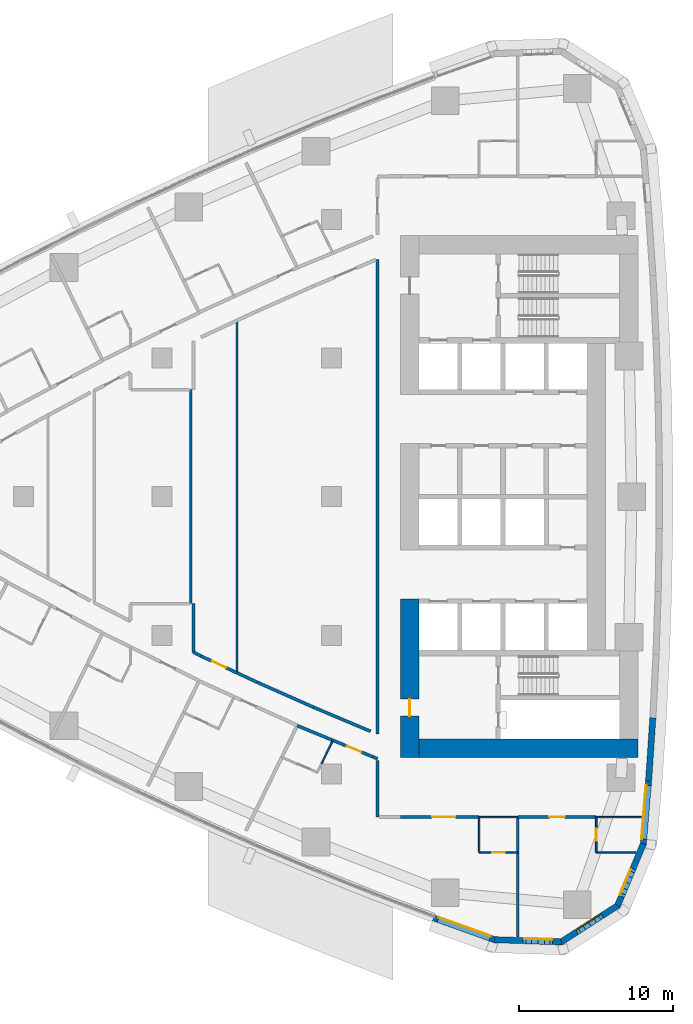
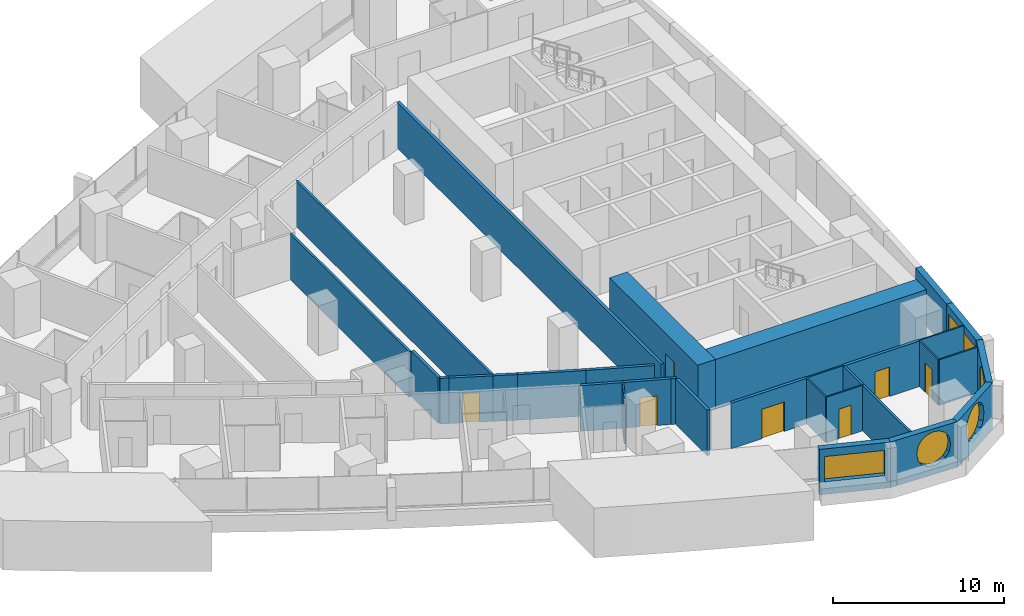
# One storey, part 10 of 19: 30 walls, 7 doors, 5 windows, 12 openings.
"""IFC4 building model written with IfcOpenShell, lengths in metres."""

from ifc_helpers import new_model, si_unit, direction, frame, frame_2d, origin, place, context, subcontext, project, spatial, polyline, rectangle, outline, extrude, material, layer, layer_set, type_object, element, fill, save


model = new_model("IFC4")

# Units and contexts
model_context = context("Model", 3, precision=1e-05, world=origin(), true_north=direction((0.0, 1.0)))
body_context = subcontext(model_context, "Body", "Model", "MODEL_VIEW")
ifc_project = project(units=[si_unit("LENGTHUNIT", "METRE"), si_unit("AREAUNIT", "SQUARE_METRE"), si_unit("VOLUMEUNIT", "CUBIC_METRE"), si_unit("PLANEANGLEUNIT", "RADIAN"), si_unit("MASSUNIT", "GRAM", prefix="KILO")], contexts=[model_context])

# Site, building, storey
site_placement = place(None, origin())
site = spatial("IfcSite", under=ifc_project, at=site_placement, CompositionType="ELEMENT")
building_placement = place(site_placement, origin())
building = spatial("IfcBuilding", under=site, at=building_placement, Name="Ostrand Prow Hotel Tower", CompositionType="ELEMENT")
storey_placement = place(building_placement, frame((0.0, 0.0, 68.0)))
storey = spatial("IfcBuildingStorey", under=building, at=storey_placement, Name="L15", CompositionType="ELEMENT", Elevation=68.0)

# Wall, opening, door
ifc_material_1 = material(Name="Concrete C80/95", Category="concrete")
ifc_layer_1 = layer(ifc_material_1, 1.199951171875)
ifc_layer_set_1 = layer_set([ifc_layer_1], Name="Concrete C80/95")
wall_type_1 = type_object("IfcWallType", Name="Core wall 1200 C80/95", PredefinedType="SHEAR", material=ifc_layer_set_1)
wall_1_placement = place(storey_placement, frame((50.10009765625, -16.949951171875, 0.0), z_axis=(0.0, 0.0, 1.0), x_axis=(0.0, 1.0, 0.0)))
wall_1 = element("IfcWall", 1, at=wall_1_placement, inside=storey, type_object=wall_type_1, Name="Core wall CW-W-S", PredefinedType="SHEAR", context=body_context, shape_type="SweptSolid", body=[
    extrude(rectangle(XDim=10.300048828125, YDim=1.199951171875, at=frame_2d((5.14990234375, 0.0))), origin(), (0.0, 0.0, 1.0), 3.550048828125),
])
opening_1_placement = place(wall_1_placement, frame((2.699951171875, 0.0, 0.0)))
opening_1 = element("IfcOpeningElement", 2, at=opening_1_placement, cuts=wall_1, Name="Opening FD1", PredefinedType="OPENING", context=body_context, shape_type="SweptSolid", body=[
    extrude(rectangle(XDim=1.10009765625, YDim=2.10009765625, at=frame_2d((0.550048828125, 1.050048828125))), frame((0.0, 0.60986328125, 0.0), z_axis=(0.0, -1.0, 0.0), x_axis=(1.0, 0.0, 0.0)), (0.0, 0.0, 1.0), 1.219970703125),
])
ifc_material_2 = material(Name="Steel fire door", Category="steel")
door_type_1 = type_object("IfcDoorType", Name="Fire door 1100 EI120", OperationType="SINGLE_SWING_RIGHT", PredefinedType="DOOR", material=ifc_material_2)
door_1_placement = place(opening_1_placement, origin())
door_1 = element("IfcDoor", 3, at=door_1_placement, inside=storey, type_object=door_type_1, Name="FIRE DOOR", OperationType="SINGLE_SWING_RIGHT", OverallHeight=2.10009765625, OverallWidth=1.10009765625, PredefinedType="DOOR", context=body_context, shape_type="SweptSolid", body=[
    extrude(rectangle(XDim=1.10009765625, YDim=2.10009765625, at=frame_2d((0.550048828125, 1.050048828125))), frame((0.0, 0.02490234375, 0.0), z_axis=(0.0, -1.0, 0.0), x_axis=(1.0, 0.0, 0.0)), (0.0, 0.0, 1.0), 0.050048828125),
])
fill(opening_1, door_1)

# Walls
wall_2_placement = place(storey_placement, frame((50.699951171875, -16.35009765625, 0.0), z_axis=(0.0, 0.0, 1.0), x_axis=(1.0, 0.0, 0.0)))
element("IfcWall", 4, at=wall_2_placement, inside=storey, type_object=wall_type_1, Name="Core wall CW-S", PredefinedType="SHEAR", context=body_context, shape_type="SweptSolid", body=[
    extrude(rectangle(XDim=14.219970703125, YDim=1.199951171875, at=frame_2d((7.10986328125, 0.0))), origin(), (0.0, 0.0, 1.0), 3.550048828125),
])
ifc_material_3 = material(Name="Plasterboard partition")
ifc_layer_2 = layer(ifc_material_3, 0.10009765625)
ifc_layer_set_2 = layer_set([ifc_layer_2], Name="Plasterboard partition")
wall_type_2 = type_object("IfcWallType", Name="Partition 100 bathroom wall", PredefinedType="PARTITIONING", material=ifc_layer_set_2)
wall_3_placement = place(storey_placement, frame((54.601806640625, -23.10009765625, 0.0), z_axis=(0.0, 0.0, 1.0), x_axis=(0.0, 1.0, 0.0)))
element("IfcWall", 5, at=wall_3_placement, inside=storey, type_object=wall_type_2, Name="BATHROOM WALL", PredefinedType="PARTITIONING", context=body_context, shape_type="SweptSolid", body=[
    extrude(rectangle(XDim=2.300048828125, YDim=0.10009765625, at=frame_2d((1.14990234375, 0.0))), origin(), (0.0, 0.0, 1.0), 3.25),
])

# Wall, opening, door
wall_4_placement = place(storey_placement, frame((57.101806640625, -23.10009765625, 0.0), z_axis=(0.0, 0.0, 1.0), x_axis=(-1.0, 0.0, 0.0)))
wall_4 = element("IfcWall", 6, at=wall_4_placement, inside=storey, type_object=wall_type_2, Name="BATHROOM WALL", PredefinedType="PARTITIONING", context=body_context, shape_type="SweptSolid", body=[
    extrude(rectangle(XDim=2.5, YDim=0.10009765625, at=frame_2d((1.25, 0.0))), origin(), (0.0, 0.0, 1.0), 3.25),
])
opening_2_placement = place(wall_4_placement, frame((0.85009765625, 0.0, 0.0)))
opening_2 = element("IfcOpeningElement", 7, at=opening_2_placement, cuts=wall_4, Name="Opening D2", PredefinedType="OPENING", context=body_context, shape_type="SweptSolid", body=[
    extrude(rectangle(XDim=0.800048828125, YDim=2.10009765625, at=frame_2d((0.39990234375, 1.050048828125))), frame((0.0, 0.06005859375, 0.0), z_axis=(0.0, -1.0, 0.0), x_axis=(1.0, 0.0, 0.0)), (0.0, 0.0, 1.0), 0.1201171875),
])
ifc_material_4 = material(Name="Timber door leaf", Category="wood")
door_type_2 = type_object("IfcDoorType", Name="Bathroom door 800", OperationType="SINGLE_SWING_LEFT", PredefinedType="DOOR", material=ifc_material_4)
door_2_placement = place(opening_2_placement, origin())
door_2 = element("IfcDoor", 8, at=door_2_placement, inside=storey, type_object=door_type_2, Name="DOOR", OperationType="SINGLE_SWING_LEFT", OverallHeight=2.10009765625, OverallWidth=0.800048828125, PredefinedType="DOOR", context=body_context, shape_type="SweptSolid", body=[
    extrude(rectangle(XDim=0.800048828125, YDim=2.10009765625, at=frame_2d((0.39990234375, 1.050048828125))), frame((0.0, 0.02490234375, 0.0), z_axis=(0.0, -1.0, 0.0), x_axis=(1.0, 0.0, 0.0)), (0.0, 0.0, 1.0), 0.050048828125),
])
fill(opening_2, door_2)

# Wall
wall_5_placement = place(storey_placement, frame((64.781494140625, -23.10009765625, 0.0), z_axis=(0.0, 0.0, 1.0), x_axis=(-1.0, 0.0, 0.0)))
element("IfcWall", 9, at=wall_5_placement, inside=storey, type_object=wall_type_2, Name="BATHROOM WALL", PredefinedType="PARTITIONING", context=body_context, shape_type="SweptSolid", body=[
    extrude(rectangle(XDim=2.578125, YDim=0.10009765625, at=frame_2d((1.2890625, 0.0))), origin(), (0.0, 0.0, 1.0), 3.25),
])

# Wall, opening, door
wall_6_placement = place(storey_placement, frame((62.203369140625, -23.10009765625, 0.0), z_axis=(0.0, 0.0, 1.0), x_axis=(0.0, 1.0, 0.0)))
wall_6 = element("IfcWall", 10, at=wall_6_placement, inside=storey, type_object=wall_type_2, Name="BATHROOM WALL", PredefinedType="PARTITIONING", context=body_context, shape_type="SweptSolid", body=[
    extrude(rectangle(XDim=2.300048828125, YDim=0.10009765625, at=frame_2d((1.14990234375, 0.0))), origin(), (0.0, 0.0, 1.0), 3.25),
])
opening_3_placement = place(wall_6_placement, frame((0.75, 0.0, 0.0)))
opening_3 = element("IfcOpeningElement", 11, at=opening_3_placement, cuts=wall_6, Name="Opening D2", PredefinedType="OPENING", context=body_context, shape_type="SweptSolid", body=[
    extrude(rectangle(XDim=0.800048828125, YDim=2.10009765625, at=frame_2d((0.39990234375, 1.050048828125))), frame((0.0, 0.06005859375, 0.0), z_axis=(0.0, -1.0, 0.0), x_axis=(1.0, 0.0, 0.0)), (0.0, 0.0, 1.0), 0.1201171875),
])
door_3_placement = place(opening_3_placement, origin())
door_3 = element("IfcDoor", 12, at=door_3_placement, inside=storey, type_object=door_type_2, Name="DOOR", OperationType="SINGLE_SWING_LEFT", OverallHeight=2.10009765625, OverallWidth=0.800048828125, PredefinedType="DOOR", context=body_context, shape_type="SweptSolid", body=[
    extrude(rectangle(XDim=0.800048828125, YDim=2.10009765625, at=frame_2d((0.39990234375, 1.050048828125))), frame((0.0, 0.02490234375, 0.0), z_axis=(0.0, -1.0, 0.0), x_axis=(1.0, 0.0, 0.0)), (0.0, 0.0, 1.0), 0.050048828125),
])
fill(opening_3, door_3)

# Walls
wall_7_placement = place(storey_placement, frame((45.085205078125, -15.851806640625, 0.0), z_axis=(0.0, 0.0, 1.0), x_axis=(-0.438227394636, -0.89886414468, 0.0)))
element("IfcWall", 13, at=wall_7_placement, inside=storey, type_object=wall_type_2, Name="BATHROOM WALL", PredefinedType="PARTITIONING", context=body_context, shape_type="SweptSolid", body=[
    extrude(rectangle(XDim=1.6669921875, YDim=0.10009765625, at=frame_2d((0.83349609375, 0.0))), origin(), (0.0, 0.0, 1.0), 3.25),
])
wall_8_placement = place(storey_placement, frame((54.601806640625, -20.804931640625, 0.0), z_axis=(0.0, 0.0, 1.0), x_axis=(1.0, 0.0, 0.0)))
element("IfcWall", 14, at=wall_8_placement, inside=storey, type_object=wall_type_2, Name="BATHROOM WALL", PredefinedType="PARTITIONING", context=body_context, shape_type="SweptSolid", body=[
    extrude(rectangle(XDim=2.5, YDim=0.10009765625, at=frame_2d((1.25, 0.0))), origin(), (0.0, 0.0, 1.0), 3.25),
])
wall_9_placement = place(storey_placement, frame((62.203369140625, -20.804931640625, 0.0), z_axis=(0.0, 0.0, 1.0), x_axis=(1.0, 0.0, 0.0)))
element("IfcWall", 15, at=wall_9_placement, inside=storey, type_object=wall_type_2, Name="BATHROOM WALL", PredefinedType="PARTITIONING", context=body_context, shape_type="SweptSolid", body=[
    extrude(rectangle(XDim=2.97119140625, YDim=0.10009765625, at=frame_2d((1.485595703125, 0.0))), origin(), (0.0, 0.0, 1.0), 3.25),
])
ifc_material_5 = material(Name="Plasterboard partition")
ifc_layer_3 = layer(ifc_material_5, 0.14990234375)
ifc_layer_set_3 = layer_set([ifc_layer_3], Name="Plasterboard partition")
wall_type_3 = type_object("IfcWallType", Name="Partition 150 room partition", PredefinedType="PARTITIONING", material=ifc_layer_set_3)
wall_10_placement = place(storey_placement, frame((57.101806640625, -28.5869140625, 0.0), z_axis=(0.0, 0.0, 1.0), x_axis=(0.0, 1.0, 0.0)))
element("IfcWall", 16, at=wall_10_placement, inside=storey, type_object=wall_type_3, Name="ROOM PARTITION", PredefinedType="PARTITIONING", context=body_context, shape_type="SweptSolid", body=[
    extrude(rectangle(XDim=7.786865234375, YDim=0.14990234375, at=frame_2d((3.8935546875, 0.0))), origin(), (0.0, 0.0, 1.0), 3.25),
])
wall_11_placement = place(storey_placement, frame((35.876220703125, -6.949951171875, 0.0), z_axis=(0.0, 0.0, 1.0), x_axis=(0.0, 1.0, 0.0)))
element("IfcWall", 17, at=wall_11_placement, inside=storey, type_object=wall_type_3, Name="ROOM PARTITION", PredefinedType="PARTITIONING", context=body_context, shape_type="SweptSolid", body=[
    extrude(rectangle(XDim=13.89990234375, YDim=0.14990234375, at=frame_2d((6.949951171875, 0.0))), origin(), (0.0, 0.0, 1.0), 3.25),
])
wall_12_placement = place(storey_placement, frame((38.876220703125, -11.440185546875, 0.0), z_axis=(0.0, 0.0, 1.0), x_axis=(0.0, 1.0, 0.0)))
element("IfcWall", 18, at=wall_12_placement, inside=storey, type_object=wall_type_3, Name="ROOM PARTITION", PredefinedType="PARTITIONING", context=body_context, shape_type="SweptSolid", body=[
    extrude(rectangle(XDim=22.88037109375, YDim=0.14990234375, at=frame_2d((11.440185546875, 0.0))), origin(), (0.0, 0.0, 1.0), 3.25),
])

# Wall, opening, door
ifc_material_6 = material(Name="Plasterboard partition")
ifc_layer_4 = layer(ifc_material_6, 0.199951171875)
ifc_layer_set_4 = layer_set([ifc_layer_4], Name="Plasterboard partition")
wall_type_4 = type_object("IfcWallType", Name="Partition 200 corridor wall", PredefinedType="PARTITIONING", material=ifc_layer_set_4)
wall_13_placement = place(storey_placement, frame((38.876220703125, -11.440185546875, 0.0), z_axis=(0.0, 0.0, 1.0), x_axis=(-0.906347616376, 0.422532836937, 0.0)))
wall_13 = element("IfcWall", 19, at=wall_13_placement, inside=storey, type_object=wall_type_4, Name="CORRIDOR WALL", PredefinedType="PARTITIONING", context=body_context, shape_type="SweptSolid", body=[
    extrude(rectangle(XDim=2.57763671875, YDim=0.199951171875, at=frame_2d((1.288818359375, 0.0))), origin(), (0.0, 0.0, 1.0), 3.25),
])
opening_4_placement = place(wall_13_placement, frame((0.788818359375, 0.0, 0.0)))
opening_4 = element("IfcOpeningElement", 20, at=opening_4_placement, cuts=wall_13, Name="Opening D1R", PredefinedType="OPENING", context=body_context, shape_type="SweptSolid", body=[
    extrude(rectangle(XDim=1.0, YDim=2.10009765625, at=frame_2d((0.5, 1.050048828125))), frame((0.0, 0.10986328125, 0.0), z_axis=(0.0, -1.0, 0.0), x_axis=(1.0, 0.0, 0.0)), (0.0, 0.0, 1.0), 0.219970703125),
])
ifc_material_7 = material(Name="Timber door leaf", Category="wood")
door_type_3 = type_object("IfcDoorType", Name="Guest room door 1000 right", OperationType="SINGLE_SWING_RIGHT", PredefinedType="DOOR", material=ifc_material_7)
door_4_placement = place(opening_4_placement, origin())
door_4 = element("IfcDoor", 21, at=door_4_placement, inside=storey, type_object=door_type_3, Name="DOOR", OperationType="SINGLE_SWING_RIGHT", OverallHeight=2.10009765625, OverallWidth=1.0, PredefinedType="DOOR", context=body_context, shape_type="SweptSolid", body=[
    extrude(rectangle(XDim=1.0, YDim=2.10009765625, at=frame_2d((0.5, 1.050048828125))), frame((0.0, 0.02490234375, 0.0), z_axis=(0.0, -1.0, 0.0), x_axis=(1.0, 0.0, 0.0)), (0.0, 0.0, 1.0), 0.050048828125),
])
fill(opening_4, door_4)

# Walls
wall_14_placement = place(storey_placement, frame((47.549560546875, -15.239013671875, 0.0), z_axis=(0.0, 0.0, 1.0), x_axis=(-0.921269894054, 0.388923877269, 0.0)))
element("IfcWall", 22, at=wall_14_placement, inside=storey, type_object=wall_type_4, Name="CORRIDOR WALL", PredefinedType="PARTITIONING", context=body_context, shape_type="SweptSolid", body=[
    extrude(rectangle(XDim=4.015625, YDim=0.199951171875, at=frame_2d((2.0078125, 0.0))), origin(), (0.0, 0.0, 1.0), 3.25),
])
wall_15_placement = place(storey_placement, frame((43.85009765625, -13.67724609375, 0.0), z_axis=(0.0, 0.0, 1.0), x_axis=(-0.913986953061, 0.405743576209, 0.0)))
element("IfcWall", 23, at=wall_15_placement, inside=storey, type_object=wall_type_4, Name="CORRIDOR WALL", PredefinedType="PARTITIONING", context=body_context, shape_type="SweptSolid", body=[
    extrude(rectangle(XDim=4.015869140625, YDim=0.199951171875, at=frame_2d((2.0078125, 0.0))), origin(), (0.0, 0.0, 1.0), 3.25),
])
wall_16_placement = place(storey_placement, frame((40.1796875, -12.0478515625, 0.0), z_axis=(0.0, 0.0, 1.0), x_axis=(-0.906347874546, 0.422532283152, 0.0)))
element("IfcWall", 24, at=wall_16_placement, inside=storey, type_object=wall_type_4, Name="CORRIDOR WALL", PredefinedType="PARTITIONING", context=body_context, shape_type="SweptSolid", body=[
    extrude(rectangle(XDim=1.438232421875, YDim=0.199951171875, at=frame_2d((0.71923828125, 0.0))), origin(), (0.0, 0.0, 1.0), 3.25),
])

# Wall, opening, door
wall_17_placement = place(storey_placement, frame((49.5, -20.804931640625, 0.0), z_axis=(0.0, 0.0, 1.0), x_axis=(1.0, 0.0, 0.0)))
wall_17 = element("IfcWall", 25, at=wall_17_placement, inside=storey, type_object=wall_type_4, Name="CORRIDOR WALL", PredefinedType="PARTITIONING", context=body_context, shape_type="SweptSolid", body=[
    extrude(rectangle(XDim=5.0966796875, YDim=0.199951171875, at=frame_2d((2.54833984375, 0.0))), origin(), (0.0, 0.0, 1.0), 3.25),
])
opening_5_placement = place(wall_17_placement, frame((2.04833984375, 0.0, 0.0)))
opening_5 = element("IfcOpeningElement", 26, at=opening_5_placement, cuts=wall_17, Name="Opening D15", PredefinedType="OPENING", context=body_context, shape_type="SweptSolid", body=[
    extrude(rectangle(XDim=1.5, YDim=2.10009765625, at=frame_2d((0.75, 1.050048828125))), frame((0.0, 0.10986328125, 0.0), z_axis=(0.0, -1.0, 0.0), x_axis=(1.0, 0.0, 0.0)), (0.0, 0.0, 1.0), 0.219970703125),
])
ifc_material_8 = material(Name="Timber door leaf", Category="wood")
door_type_4 = type_object("IfcDoorType", Name="Double door 1500", OperationType="DOUBLE_DOOR_SINGLE_SWING", PredefinedType="DOOR", material=ifc_material_8)
door_5_placement = place(opening_5_placement, origin())
door_5 = element("IfcDoor", 27, at=door_5_placement, inside=storey, type_object=door_type_4, Name="DOOR", OperationType="DOUBLE_DOOR_SINGLE_SWING", OverallHeight=2.10009765625, OverallWidth=1.5, PredefinedType="DOOR", context=body_context, shape_type="SweptSolid", body=[
    extrude(rectangle(XDim=1.5, YDim=2.10009765625, at=frame_2d((0.75, 1.050048828125))), frame((0.0, 0.02490234375, 0.0), z_axis=(0.0, -1.0, 0.0), x_axis=(1.0, 0.0, 0.0)), (0.0, 0.0, 1.0), 0.050048828125),
])
fill(opening_5, door_5)

wall_18_placement = place(storey_placement, frame((57.106689453125, -20.804931640625, 0.0), z_axis=(0.0, 0.0, 1.0), x_axis=(1.0, 0.0, 0.0)))
wall_18 = element("IfcWall", 28, at=wall_18_placement, inside=storey, type_object=wall_type_4, Name="CORRIDOR WALL", PredefinedType="PARTITIONING", context=body_context, shape_type="SweptSolid", body=[
    extrude(rectangle(XDim=5.091552734375, YDim=0.199951171875, at=frame_2d((2.5458984375, 0.0))), origin(), (0.0, 0.0, 1.0), 3.25),
])
opening_6_placement = place(wall_18_placement, frame((2.0458984375, 0.0, 0.0)))
opening_6 = element("IfcOpeningElement", 29, at=opening_6_placement, cuts=wall_18, Name="Opening D1", PredefinedType="OPENING", context=body_context, shape_type="SweptSolid", body=[
    extrude(rectangle(XDim=1.0, YDim=2.10009765625, at=frame_2d((0.5, 1.050048828125))), frame((0.0, 0.10986328125, 0.0), z_axis=(0.0, -1.0, 0.0), x_axis=(1.0, 0.0, 0.0)), (0.0, 0.0, 1.0), 0.219970703125),
])
ifc_material_9 = material(Name="Timber door leaf", Category="wood")
door_type_5 = type_object("IfcDoorType", Name="Guest room door 1000", OperationType="SINGLE_SWING_LEFT", PredefinedType="DOOR", material=ifc_material_9)
door_6_placement = place(opening_6_placement, origin())
door_6 = element("IfcDoor", 30, at=door_6_placement, inside=storey, type_object=door_type_5, Name="DOOR", OperationType="SINGLE_SWING_LEFT", OverallHeight=2.10009765625, OverallWidth=1.0, PredefinedType="DOOR", context=body_context, shape_type="SweptSolid", body=[
    extrude(rectangle(XDim=1.0, YDim=2.10009765625, at=frame_2d((0.5, 1.050048828125))), frame((0.0, 0.02490234375, 0.0), z_axis=(0.0, -1.0, 0.0), x_axis=(1.0, 0.0, 0.0)), (0.0, 0.0, 1.0), 0.050048828125),
])
fill(opening_6, door_6)

wall_19_placement = place(storey_placement, frame((42.783935546875, -14.8671875, 0.0), z_axis=(0.0, 0.0, 1.0), x_axis=(0.92451459323, -0.381146647507, 0.0)))
wall_19 = element("IfcWall", 31, at=wall_19_placement, inside=storey, type_object=wall_type_4, Name="CORRIDOR WALL", PredefinedType="PARTITIONING", context=body_context, shape_type="SweptSolid", body=[
    extrude(rectangle(XDim=5.321533203125, YDim=0.199951171875, at=frame_2d((2.66064453125, 0.0))), origin(), (0.0, 0.0, 1.0), 3.25),
])
opening_7_placement = place(wall_19_placement, frame((3.5, 0.0, 0.0)))
opening_7 = element("IfcOpeningElement", 32, at=opening_7_placement, cuts=wall_19, Name="Opening D1R", PredefinedType="OPENING", context=body_context, shape_type="SweptSolid", body=[
    extrude(rectangle(XDim=1.0, YDim=2.10009765625, at=frame_2d((0.5, 1.050048828125))), frame((0.0, 0.10986328125, 0.0), z_axis=(0.0, -1.0, 0.0), x_axis=(1.0, 0.0, 0.0)), (0.0, 0.0, 1.0), 0.219970703125),
])
door_7_placement = place(opening_7_placement, origin())
door_7 = element("IfcDoor", 33, at=door_7_placement, inside=storey, type_object=door_type_3, Name="DOOR", OperationType="SINGLE_SWING_RIGHT", OverallHeight=2.10009765625, OverallWidth=1.0, PredefinedType="DOOR", context=body_context, shape_type="SweptSolid", body=[
    extrude(rectangle(XDim=1.0, YDim=2.10009765625, at=frame_2d((0.5, 1.050048828125))), frame((0.0, 0.02490234375, 0.0), z_axis=(0.0, -1.0, 0.0), x_axis=(1.0, 0.0, 0.0)), (0.0, 0.0, 1.0), 0.050048828125),
])
fill(opening_7, door_7)

# Walls
wall_20_placement = place(storey_placement, frame((36.054931640625, -10.1083984375, 0.0), z_axis=(0.0, 0.0, 1.0), x_axis=(0.0, 1.0, 0.0)))
element("IfcWall", 34, at=wall_20_placement, inside=storey, type_object=wall_type_4, Name="CORRIDOR WALL", PredefinedType="PARTITIONING", context=body_context, shape_type="SweptSolid", body=[
    extrude(rectangle(XDim=3.158447265625, YDim=0.199951171875, at=frame_2d((1.5791015625, 0.0))), origin(), (0.0, 0.0, 1.0), 3.25),
])
wall_21_placement = place(storey_placement, frame((48.0, 15.4140625, 0.0), z_axis=(0.0, 0.0, 1.0), x_axis=(0.0, -1.0, 0.0)))
element("IfcWall", 35, at=wall_21_placement, inside=storey, type_object=wall_type_4, Name="CORRIDOR WALL", PredefinedType="PARTITIONING", context=body_context, shape_type="SweptSolid", body=[
    extrude(rectangle(XDim=30.828125, YDim=0.199951171875, at=frame_2d((15.4140625, 0.0))), origin(), (0.0, 0.0, 1.0), 3.25),
])
wall_22_placement = place(storey_placement, frame((47.703857421875, -16.8955078125, 0.0), z_axis=(0.0, 0.0, 1.0), x_axis=(0.920166313672, -0.391527719559, 0.0)))
element("IfcWall", 36, at=wall_22_placement, inside=storey, type_object=wall_type_4, Name="CORRIDOR WALL", PredefinedType="PARTITIONING", context=body_context, shape_type="SweptSolid", body=[
    extrude(rectangle(XDim=0.320556640625, YDim=0.199951171875, at=frame_2d((0.16015625, 0.0))), origin(), (0.0, 0.0, 1.0), 3.25),
])
wall_23_placement = place(storey_placement, frame((47.99853515625, -17.14111328125, 0.0), z_axis=(0.0, 0.0, 1.0), x_axis=(-0.000866955326, -0.999999624194, 0.0)))
element("IfcWall", 37, at=wall_23_placement, inside=storey, type_object=wall_type_4, Name="CORRIDOR WALL", PredefinedType="PARTITIONING", context=body_context, shape_type="SweptSolid", body=[
    extrude(rectangle(XDim=3.660888671875, YDim=0.199951171875, at=frame_2d((1.83056640625, 0.0))), origin(), (0.0, 0.0, 1.0), 3.25),
])
wall_24_placement = place(storey_placement, frame((36.5400390625, -10.35107421875, 0.0), z_axis=(0.0, 0.0, 1.0), x_axis=(-0.894337154042, 0.447393624116, 0.0)))
element("IfcWall", 38, at=wall_24_placement, inside=storey, type_object=wall_type_4, Name="CORRIDOR WALL", PredefinedType="PARTITIONING", context=body_context, shape_type="SweptSolid", body=[
    extrude(rectangle(XDim=0.54248046875, YDim=0.199951171875, at=frame_2d((0.271240234375, 0.0))), origin(), (0.0, 0.0, 1.0), 3.25),
])

# Wall, opening, window
ifc_material_10 = material(Name="Precast concrete C40/50", Category="concrete")
ifc_layer_5 = layer(ifc_material_10, 0.39990234375)
ifc_layer_set_5 = layer_set([ifc_layer_5], Name="Precast concrete C40/50")
wall_type_5 = type_object("IfcWallType", Name="Stone-faced precast wall 400 mm", PredefinedType="NOTDEFINED", material=ifc_layer_set_5)
wall_25_placement = place(storey_placement, frame((51.639892578125, -27.3515625, 0.0), z_axis=(0.0, 0.0, 1.0), x_axis=(0.941339752885, -0.337460323057, 0.0)))
wall_25 = element("IfcWall", 39, at=wall_25_placement, inside=storey, type_object=wall_type_5, Name="Stone-faced wall back 1", PredefinedType="NOTDEFINED", context=body_context, shape_type="SweptSolid", body=[
    extrude(outline(polyline([(0.0, -0.199951171875), (4.2275390625, -0.199951171875), (4.16455078125, 0.199951171875), (0.0, 0.199951171875), (0.0, -0.199951171875)])), origin(), (0.0, 0.0, 1.0), 3.25),
])
opening_8_placement = place(wall_25_placement, frame((0.298095703125, 0.0, 0.89990234375)))
opening_8 = element("IfcOpeningElement", 40, at=opening_8_placement, cuts=wall_25, Name="Opening WS3-36", PredefinedType="OPENING", context=body_context, shape_type="SweptSolid", body=[
    extrude(rectangle(XDim=3.60009765625, YDim=1.800048828125, at=frame_2d((1.800048828125, 0.89990234375))), frame((0.0, 0.2099609375, 0.0), z_axis=(0.0, -1.0, 0.0), x_axis=(1.0, 0.0, 0.0)), (0.0, 0.0, 1.0), 0.419921875),
])
ifc_material_11 = material(Name="Insulated glass in bronze frame", Category="glass")
window_type_1 = type_object("IfcWindowType", Name="Strip window 3600x1800", PartitioningType="SINGLE_PANEL", PredefinedType="WINDOW", material=ifc_material_11)
window_1_placement = place(opening_8_placement, origin())
window_1 = element("IfcWindow", 41, at=window_1_placement, inside=storey, type_object=window_type_1, Name="Window back 1.1", OverallHeight=1.800048828125, OverallWidth=3.60009765625, PartitioningType="SINGLE_PANEL", PredefinedType="WINDOW", context=body_context, shape_type="SweptSolid", body=[
    extrude(rectangle(XDim=3.60009765625, YDim=1.800048828125, at=frame_2d((1.800048828125, 0.89990234375))), frame((0.0, 0.169921875, 0.0), z_axis=(0.0, -1.0, 0.0), x_axis=(1.0, 0.0, 0.0)), (0.0, 0.0, 1.0), 0.06005859375),
])
fill(opening_8, window_1)

wall_26_placement = place(storey_placement, frame((55.58984375, -28.767578125, 0.0), z_axis=(0.0, 0.0, 1.0), x_axis=(0.999463576228, -0.032749958686, 0.0)))
wall_26 = element("IfcWall", 42, at=wall_26_placement, inside=storey, type_object=wall_type_5, Name="Stone-faced wall back 2", PredefinedType="NOTDEFINED", context=body_context, shape_type="SweptSolid", body=[
    extrude(outline(polyline([(-0.031494140625, -0.199951171875), (4.40869140625, -0.199951171875), (4.28369140625, 0.199951171875), (0.031494140625, 0.199951171875), (-0.031494140625, -0.199951171875)])), origin(), (0.0, 0.0, 1.0), 3.25),
])
opening_9_placement = place(wall_26_placement, frame((1.724365234375, 0.0, 0.60009765625)))
opening_9 = element("IfcOpeningElement", 43, at=opening_9_placement, cuts=wall_26, Name="Opening WP1", PredefinedType="OPENING", context=body_context, shape_type="SweptSolid", body=[
    extrude(outline(polyline([(0.0, 1.35009765625), (0.083740234375, 1.77099609375), (0.322265625, 2.127685546875), (0.678955078125, 2.3662109375), (1.10009765625, 2.449951171875), (1.52099609375, 2.3662109375), (1.877685546875, 2.127685546875), (2.1162109375, 1.77099609375), (2.199951171875, 1.35009765625), (2.199951171875, 1.10009765625), (2.1162109375, 0.678955078125), (1.877685546875, 0.322265625), (1.52099609375, 0.083740234375), (1.10009765625, 0.0), (0.678955078125, 0.083740234375), (0.322265625, 0.322265625), (0.083740234375, 0.678955078125), (0.0, 1.099853515625), (0.0, 1.35009765625)])), frame((0.0, 0.2099609375, 0.0), z_axis=(0.0, -1.0, 0.0), x_axis=(1.0, 0.0, 0.0)), (0.0, 0.0, 1.0), 0.419921875),
])
ifc_material_12 = material(Name="Insulated glass in bronze frame", Category="glass")
window_type_2 = type_object("IfcWindowType", Name="Round-ended prow window 2200x2450", PartitioningType="SINGLE_PANEL", PredefinedType="WINDOW", material=ifc_material_12)
window_2_placement = place(opening_9_placement, origin())
window_2 = element("IfcWindow", 44, at=window_2_placement, inside=storey, type_object=window_type_2, Name="Window back 2.1", OverallHeight=2.449951171875, OverallWidth=2.199951171875, PartitioningType="SINGLE_PANEL", PredefinedType="WINDOW", context=body_context, shape_type="SweptSolid", body=[
    extrude(outline(polyline([(0.0, 1.35009765625), (0.083740234375, 1.77099609375), (0.322265625, 2.127685546875), (0.678955078125, 2.3662109375), (1.10009765625, 2.449951171875), (1.52099609375, 2.3662109375), (1.877685546875, 2.127685546875), (2.1162109375, 1.77099609375), (2.199951171875, 1.35009765625), (2.199951171875, 1.10009765625), (2.1162109375, 0.678955078125), (1.877685546875, 0.322265625), (1.52099609375, 0.083740234375), (1.10009765625, 0.0), (0.678955078125, 0.083740234375), (0.322265625, 0.322265625), (0.083740234375, 0.678955078125), (0.0, 1.099853515625), (0.0, 1.35009765625)])), frame((0.0, 0.169921875, 0.0), z_axis=(0.0, -1.0, 0.0), x_axis=(1.0, 0.0, 0.0)), (0.0, 0.0, 1.0), 0.06005859375),
])
fill(opening_9, window_2)

wall_27_placement = place(storey_placement, frame((59.93359375, -28.909912109375, 0.0), z_axis=(0.0, 0.0, 1.0), x_axis=(0.840937468718, 0.541132307025, 0.0)))
wall_27 = element("IfcWall", 45, at=wall_27_placement, inside=storey, type_object=wall_type_5, Name="Stone-faced wall back 3", PredefinedType="NOTDEFINED", context=body_context, shape_type="SweptSolid", body=[
    extrude(outline(polyline([(-0.0625, -0.199951171875), (4.40869140625, -0.199951171875), (4.28369140625, 0.199951171875), (0.0625, 0.199951171875), (-0.0625, -0.199951171875)])), origin(), (0.0, 0.0, 1.0), 3.25),
])
opening_10_placement = place(wall_27_placement, frame((1.072998046875, 0.0, 0.60009765625)))
opening_10 = element("IfcOpeningElement", 46, at=opening_10_placement, cuts=wall_27, Name="Opening WP1", PredefinedType="OPENING", context=body_context, shape_type="SweptSolid", body=[
    extrude(outline(polyline([(0.0, 1.35009765625), (0.083740234375, 1.77099609375), (0.322265625, 2.127685546875), (0.678955078125, 2.3662109375), (1.10009765625, 2.449951171875), (1.52099609375, 2.3662109375), (1.877685546875, 2.127685546875), (2.1162109375, 1.77099609375), (2.199951171875, 1.35009765625), (2.199951171875, 1.10009765625), (2.1162109375, 0.678955078125), (1.877685546875, 0.322265625), (1.52099609375, 0.083740234375), (1.10009765625, 0.0), (0.678955078125, 0.083740234375), (0.322265625, 0.322265625), (0.083740234375, 0.678955078125), (0.0, 1.099853515625), (0.0, 1.35009765625)])), frame((0.0, 0.2099609375, 0.0), z_axis=(0.0, -1.0, 0.0), x_axis=(1.0, 0.0, 0.0)), (0.0, 0.0, 1.0), 0.419921875),
])
window_3_placement = place(opening_10_placement, origin())
window_3 = element("IfcWindow", 47, at=window_3_placement, inside=storey, type_object=window_type_2, Name="Window back 3.1", OverallHeight=2.449951171875, OverallWidth=2.199951171875, PartitioningType="SINGLE_PANEL", PredefinedType="WINDOW", context=body_context, shape_type="SweptSolid", body=[
    extrude(outline(polyline([(0.0, 1.35009765625), (0.083740234375, 1.77099609375), (0.322265625, 2.127685546875), (0.678955078125, 2.3662109375), (1.10009765625, 2.449951171875), (1.52099609375, 2.3662109375), (1.877685546875, 2.127685546875), (2.1162109375, 1.77099609375), (2.199951171875, 1.35009765625), (2.199951171875, 1.10009765625), (2.1162109375, 0.678955078125), (1.877685546875, 0.322265625), (1.52099609375, 0.083740234375), (1.10009765625, 0.0), (0.678955078125, 0.083740234375), (0.322265625, 0.322265625), (0.083740234375, 0.678955078125), (0.0, 1.099853515625), (0.0, 1.35009765625)])), frame((0.0, 0.169921875, 0.0), z_axis=(0.0, -1.0, 0.0), x_axis=(1.0, 0.0, 0.0)), (0.0, 0.0, 1.0), 0.06005859375),
])
fill(opening_10, window_3)

wall_28_placement = place(storey_placement, frame((63.58837890625, -26.55810546875, 0.0), z_axis=(0.0, 0.0, 1.0), x_axis=(0.384372042685, 0.923178277908, 0.0)))
wall_28 = element("IfcWall", 48, at=wall_28_placement, inside=storey, type_object=wall_type_5, Name="Stone-faced wall back 4", PredefinedType="NOTDEFINED", context=body_context, shape_type="SweptSolid", body=[
    extrude(outline(polyline([(-0.0625, -0.199951171875), (4.376953125, -0.199951171875), (4.314453125, 0.199951171875), (0.0625, 0.199951171875), (-0.0625, -0.199951171875)])), origin(), (0.0, 0.0, 1.0), 3.25),
])
opening_11_placement = place(wall_28_placement, frame((0.515380859375, 0.0, 0.60009765625)))
opening_11 = element("IfcOpeningElement", 49, at=opening_11_placement, cuts=wall_28, Name="Opening WP1", PredefinedType="OPENING", context=body_context, shape_type="SweptSolid", body=[
    extrude(outline(polyline([(0.0, 1.35009765625), (0.083740234375, 1.77099609375), (0.322265625, 2.127685546875), (0.678955078125, 2.3662109375), (1.10009765625, 2.449951171875), (1.52099609375, 2.3662109375), (1.877685546875, 2.127685546875), (2.1162109375, 1.77099609375), (2.199951171875, 1.35009765625), (2.199951171875, 1.10009765625), (2.1162109375, 0.678955078125), (1.877685546875, 0.322265625), (1.52099609375, 0.083740234375), (1.10009765625, 0.0), (0.678955078125, 0.083740234375), (0.322265625, 0.322265625), (0.083740234375, 0.678955078125), (0.0, 1.099853515625), (0.0, 1.35009765625)])), frame((0.0, 0.2099609375, 0.0), z_axis=(0.0, -1.0, 0.0), x_axis=(1.0, 0.0, 0.0)), (0.0, 0.0, 1.0), 0.419921875),
])
window_4_placement = place(opening_11_placement, origin())
window_4 = element("IfcWindow", 50, at=window_4_placement, inside=storey, type_object=window_type_2, Name="Window back 4.1", OverallHeight=2.449951171875, OverallWidth=2.199951171875, PartitioningType="SINGLE_PANEL", PredefinedType="WINDOW", context=body_context, shape_type="SweptSolid", body=[
    extrude(outline(polyline([(0.0, 1.35009765625), (0.083740234375, 1.77099609375), (0.322265625, 2.127685546875), (0.678955078125, 2.3662109375), (1.10009765625, 2.449951171875), (1.52099609375, 2.3662109375), (1.877685546875, 2.127685546875), (2.1162109375, 1.77099609375), (2.199951171875, 1.35009765625), (2.199951171875, 1.10009765625), (2.1162109375, 0.678955078125), (1.877685546875, 0.322265625), (1.52099609375, 0.083740234375), (1.10009765625, 0.0), (0.678955078125, 0.083740234375), (0.322265625, 0.322265625), (0.083740234375, 0.678955078125), (0.0, 1.099853515625), (0.0, 1.35009765625)])), frame((0.0, 0.169921875, 0.0), z_axis=(0.0, -1.0, 0.0), x_axis=(1.0, 0.0, 0.0)), (0.0, 0.0, 1.0), 0.06005859375),
])
fill(opening_11, window_4)

wall_29_placement = place(storey_placement, frame((65.2587890625, -22.546142578125, 0.0), z_axis=(0.0, 0.0, 1.0), x_axis=(0.083793550906, 0.996483136248, 0.0)))
wall_29 = element("IfcWall", 51, at=wall_29_placement, inside=storey, type_object=wall_type_5, Name="Stone-faced wall back 5", PredefinedType="NOTDEFINED", context=body_context, shape_type="SweptSolid", body=[
    extrude(outline(polyline([(-0.03125, -0.199951171875), (4.10693359375, -0.199951171875), (4.103515625, 0.199951171875), (0.03125, 0.199951171875), (-0.03125, -0.199951171875)])), origin(), (0.0, 0.0, 1.0), 3.25),
])
opening_12_placement = place(wall_29_placement, frame((0.302490234375, 0.0, 0.89990234375)))
opening_12 = element("IfcOpeningElement", 52, at=opening_12_placement, cuts=wall_29, Name="Opening WS3-35", PredefinedType="OPENING", context=body_context, shape_type="SweptSolid", body=[
    extrude(rectangle(XDim=3.5, YDim=1.800048828125, at=frame_2d((1.75, 0.89990234375))), frame((0.0, 0.2099609375, 0.0), z_axis=(0.0, -1.0, 0.0), x_axis=(1.0, 0.0, 0.0)), (0.0, 0.0, 1.0), 0.419921875),
])
ifc_material_13 = material(Name="Insulated glass in bronze frame", Category="glass")
window_type_3 = type_object("IfcWindowType", Name="Strip window 3500x1800", PartitioningType="SINGLE_PANEL", PredefinedType="WINDOW", material=ifc_material_13)
window_5_placement = place(opening_12_placement, origin())
window_5 = element("IfcWindow", 53, at=window_5_placement, inside=storey, type_object=window_type_3, Name="Window back 5.1", OverallHeight=1.800048828125, OverallWidth=3.5, PartitioningType="SINGLE_PANEL", PredefinedType="WINDOW", context=body_context, shape_type="SweptSolid", body=[
    extrude(rectangle(XDim=3.5, YDim=1.800048828125, at=frame_2d((1.75, 0.89990234375))), frame((0.0, 0.169921875, 0.0), z_axis=(0.0, -1.0, 0.0), x_axis=(1.0, 0.0, 0.0)), (0.0, 0.0, 1.0), 0.06005859375),
])
fill(opening_12, window_5)

# Wall
wall_30_placement = place(storey_placement, frame((65.602783203125, -18.455322265625, 0.0), z_axis=(0.0, 0.0, 1.0), x_axis=(0.067087430225, 0.997747100575, 0.0)))
element("IfcWall", 54, at=wall_30_placement, inside=storey, type_object=wall_type_5, Name="Stone-faced wall back 6", PredefinedType="NOTDEFINED", context=body_context, shape_type="SweptSolid", body=[
    extrude(outline(polyline([(-0.001708984375, -0.199951171875), (4.106689453125, -0.199951171875), (4.103271484375, 0.199951171875), (0.001708984375, 0.199951171875), (-0.001708984375, -0.199951171875)])), origin(), (0.0, 0.0, 1.0), 3.25),
])

save(model, "model.ifc")
